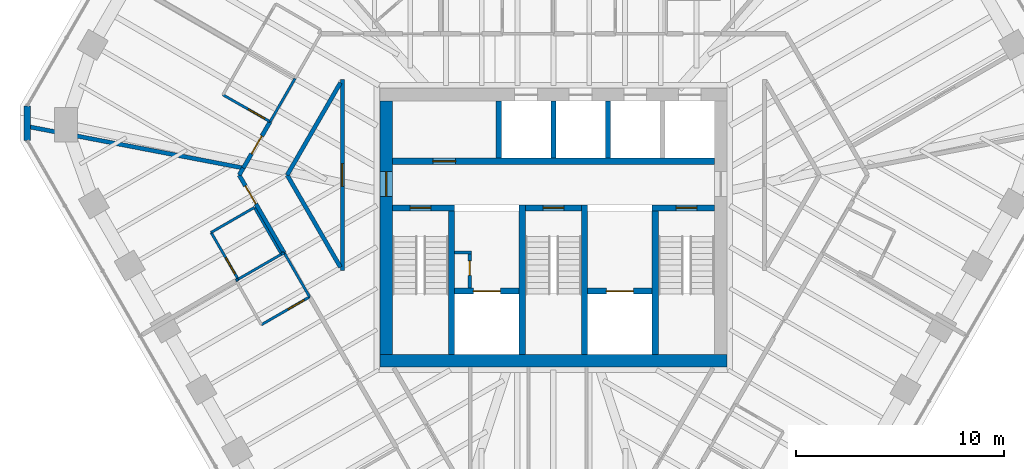
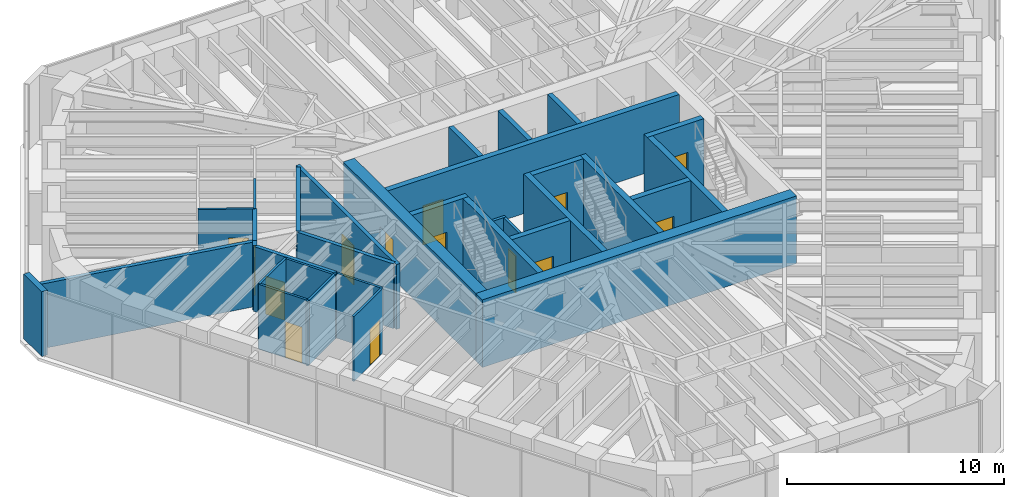
# One storey, part 10 of 14: 35 walls, 14 doors, 14 openings.
"""IFC4 building model written with IfcOpenShell, lengths in metres."""

from ifc_helpers import new_model, si_unit, direction, frame, frame_2d, origin, place, context, subcontext, project, spatial, rectangle, extrude, material, layer, layer_set, type_object, element, fill, save


model = new_model("IFC4")

# Units and contexts
model_context = context("Model", 3, precision=1e-05, world=origin(), true_north=direction((0.0, 1.0)))
body_context = subcontext(model_context, "Body", "Model", "MODEL_VIEW")
ifc_project = project(units=[si_unit("LENGTHUNIT", "METRE"), si_unit("AREAUNIT", "SQUARE_METRE"), si_unit("VOLUMEUNIT", "CUBIC_METRE"), si_unit("PLANEANGLEUNIT", "RADIAN"), si_unit("MASSUNIT", "GRAM", prefix="KILO")], contexts=[model_context])

# Site, building, storey
site_placement = place(None, origin())
site = spatial("IfcSite", under=ifc_project, at=site_placement, CompositionType="ELEMENT")
building_placement = place(site_placement, origin())
building = spatial("IfcBuilding", under=site, at=building_placement, Name="Sandreach Pilgrim Tower", CompositionType="ELEMENT")
storey_placement = place(building_placement, frame((0.0, 0.0, 291.199951171875)))
storey = spatial("IfcBuildingStorey", under=building, at=storey_placement, Name="L73", CompositionType="ELEMENT", Elevation=291.199951171875)

# Wall, opening, door
ifc_material_1 = material(Name="Moisture-resistant gypsum board on steel studs", Category="steel")
ifc_layer_1 = layer(ifc_material_1, 0.1201171875)
ifc_layer_set_1 = layer_set([ifc_layer_1], Name="Bathroom partition 120")
wall_type_1 = type_object("IfcWallType", Name="Bathroom partition 120", PredefinedType="PARTITIONING", material=ifc_layer_set_1)
wall_1_placement = place(storey_placement, frame((-16.469970703125, -0.22998046875, 0.0), z_axis=(0.0, 0.0, 1.0), x_axis=(0.500291685314, -0.865856933682, 0.0)))
wall_1 = element("IfcWall", 1, at=wall_1_placement, inside=storey, type_object=wall_type_1, Name="Bathroom partition L73-005", PredefinedType="PARTITIONING", context=body_context, shape_type="SweptSolid", body=[
    extrude(rectangle(XDim=2.5986328125, YDim=0.1201171875, at=frame_2d((1.29931640625, 0.0))), origin(), (0.0, 0.0, 1.0), 3.64013671875),
])
opening_1_placement = place(wall_1_placement, frame((1.398681640625, 0.0, 0.0)))
opening_1 = element("IfcOpeningElement", 2, at=opening_1_placement, cuts=wall_1, Name="Opening D09-15B", PredefinedType="OPENING", context=body_context, shape_type="SweptSolid", body=[
    extrude(rectangle(XDim=0.89990234375, YDim=2.030029296875, at=frame_2d((0.449951171875, 1.01513671875))), frame((0.0, 0.06005859375, 0.0), z_axis=(0.0, -1.0, 0.0), x_axis=(1.0, 0.0, 0.0)), (0.0, 0.0, 1.0), 0.1201171875),
])
ifc_material_2 = material(Name="Timber door, steel frame", Category="steel")
door_type_1 = type_object("IfcDoorType", Name="Bathroom door", OperationType="SINGLE_SWING_LEFT", PredefinedType="DOOR", material=ifc_material_2)
door_1_placement = place(opening_1_placement, origin())
door_1 = element("IfcDoor", 3, at=door_1_placement, inside=storey, type_object=door_type_1, Name="Door 7315B", OperationType="SINGLE_SWING_RIGHT", OverallHeight=2.030029296875, OverallWidth=0.89990234375, PredefinedType="DOOR", context=body_context, shape_type="SweptSolid", body=[
    extrude(rectangle(XDim=0.89990234375, YDim=2.030029296875, at=frame_2d((0.449951171875, 1.01513671875))), frame((0.0, 0.02490234375, 0.0), z_axis=(0.0, -1.0, 0.0), x_axis=(1.0, 0.0, 0.0)), (0.0, 0.0, 1.0), 0.050048828125),
])
fill(opening_1, door_1)

wall_2_placement = place(storey_placement, frame((-15.89990234375, 6.389892578125, 0.0), z_axis=(0.0, 0.0, 1.0), x_axis=(0.869431908012, -0.494052787999, 0.0)))
wall_2 = element("IfcWall", 4, at=wall_2_placement, inside=storey, type_object=wall_type_1, Name="Bathroom partition L73-006", PredefinedType="PARTITIONING", context=body_context, shape_type="SweptSolid", body=[
    extrude(rectangle(XDim=2.610595703125, YDim=0.1201171875, at=frame_2d((1.30517578125, 0.0))), origin(), (0.0, 0.0, 1.0), 3.64013671875),
])
opening_2_placement = place(wall_2_placement, frame((1.410888671875, 0.0, 0.0)))
opening_2 = element("IfcOpeningElement", 5, at=opening_2_placement, cuts=wall_2, Name="Opening D09-16B", PredefinedType="OPENING", context=body_context, shape_type="SweptSolid", body=[
    extrude(rectangle(XDim=0.89990234375, YDim=2.030029296875, at=frame_2d((0.449951171875, 1.01513671875))), frame((0.0, 0.06005859375, 0.0), z_axis=(0.0, -1.0, 0.0), x_axis=(1.0, 0.0, 0.0)), (0.0, 0.0, 1.0), 0.1201171875),
])
door_2_placement = place(opening_2_placement, origin())
door_2 = element("IfcDoor", 6, at=door_2_placement, inside=storey, type_object=door_type_1, Name="Door 7316B", OperationType="SINGLE_SWING_RIGHT", OverallHeight=2.030029296875, OverallWidth=0.89990234375, PredefinedType="DOOR", context=body_context, shape_type="SweptSolid", body=[
    extrude(rectangle(XDim=0.89990234375, YDim=2.030029296875, at=frame_2d((0.449951171875, 1.01513671875))), frame((0.0, 0.02490234375, 0.0), z_axis=(0.0, -1.0, 0.0), x_axis=(1.0, 0.0, 0.0)), (0.0, 0.0, 1.0), 0.050048828125),
])
fill(opening_2, door_2)

# Walls
wall_3_placement = place(storey_placement, frame((-15.27001953125, -2.5400390625, 0.0), z_axis=(0.0, 0.0, 1.0), x_axis=(0.864612942288, 0.502438513678, 0.0)))
element("IfcWall", 7, at=wall_3_placement, inside=storey, type_object=wall_type_1, Name="Bathroom partition L73-007", PredefinedType="PARTITIONING", context=body_context, shape_type="SweptSolid", body=[
    extrude(rectangle(XDim=0.11669921875, YDim=0.1201171875, at=frame_2d((0.058349609375, 0.0))), origin(), (0.0, 0.0, 1.0), 3.64013671875),
])
for number, where, z_axis, x_axis, name in (
    (8, (-15.1689453125, -2.48193359375, 0.0), (0.0, 0.0, 1.0), (0.865723129019, 0.500523190154, 0.0), "Bathroom partition L73-009"),
    (9, (-14.389892578125, 0.969970703125, 0.0), (0.0, 0.0, 1.0), (-0.866202511239, -0.499693115345, 0.0), "Bathroom partition L73-015"),
):
    element("IfcWall", number, at=place(storey_placement, frame(where, z_axis=z_axis, x_axis=x_axis)), inside=storey, type_object=wall_type_1, Name=name, PredefinedType="PARTITIONING", context=body_context, shape_type="SweptSolid", body=[
        extrude(rectangle(XDim=2.4013671875, YDim=0.1201171875, at=frame_2d((1.20068359375, 0.0))), origin(), (0.0, 0.0, 1.0), 3.64013671875),
    ])

# Wall, opening, door
wall_4_placement = place(storey_placement, frame((-14.050048828125, -4.669921875, 0.0), z_axis=(0.0, 0.0, 1.0), x_axis=(0.865968562295, 0.500098439427, 0.0)))
wall_4 = element("IfcWall", 10, at=wall_4_placement, inside=storey, type_object=wall_type_1, Name="Bathroom partition L73-017", PredefinedType="PARTITIONING", context=body_context, shape_type="SweptSolid", body=[
    extrude(rectangle(XDim=2.67919921875, YDim=0.1201171875, at=frame_2d((1.339599609375, 0.0))), origin(), (0.0, 0.0, 1.0), 3.64013671875),
])
opening_3_placement = place(wall_4_placement, frame((1.479248046875, 0.0, 0.0)))
opening_3 = element("IfcOpeningElement", 11, at=opening_3_placement, cuts=wall_4, Name="Opening D09-14B", PredefinedType="OPENING", context=body_context, shape_type="SweptSolid", body=[
    extrude(rectangle(XDim=0.89990234375, YDim=2.030029296875, at=frame_2d((0.449951171875, 1.01513671875))), frame((0.0, 0.06005859375, 0.0), z_axis=(0.0, -1.0, 0.0), x_axis=(1.0, 0.0, 0.0)), (0.0, 0.0, 1.0), 0.1201171875),
])
door_3_placement = place(opening_3_placement, origin())
door_3 = element("IfcDoor", 12, at=door_3_placement, inside=storey, type_object=door_type_1, Name="Door 7314B", OperationType="SINGLE_SWING_RIGHT", OverallHeight=2.030029296875, OverallWidth=0.89990234375, PredefinedType="DOOR", context=body_context, shape_type="SweptSolid", body=[
    extrude(rectangle(XDim=0.89990234375, YDim=2.030029296875, at=frame_2d((0.449951171875, 1.01513671875))), frame((0.0, 0.02490234375, 0.0), z_axis=(0.0, -1.0, 0.0), x_axis=(1.0, 0.0, 0.0)), (0.0, 0.0, 1.0), 0.050048828125),
])
fill(opening_3, door_3)

# Walls
wall_5_placement = place(storey_placement, frame((-13.6298828125, 5.10009765625, 0.0), z_axis=(0.0, 0.0, 1.0), x_axis=(0.499737123639, 0.866177122335, 0.0)))
element("IfcWall", 13, at=wall_5_placement, inside=storey, type_object=wall_type_1, Name="Bathroom partition L73-018", PredefinedType="PARTITIONING", context=body_context, shape_type="SweptSolid", body=[
    extrude(rectangle(XDim=2.401123046875, YDim=0.1201171875, at=frame_2d((1.20068359375, 0.0))), origin(), (0.0, 0.0, 1.0), 3.64013671875),
])
wall_6_placement = place(storey_placement, frame((-13.090087890625, -1.280029296875, 0.0), z_axis=(0.0, 0.0, 1.0), x_axis=(-0.500291685314, 0.865856933682, 0.0)))
element("IfcWall", 14, at=wall_6_placement, inside=storey, type_object=wall_type_1, Name="Bathroom partition L73-020", PredefinedType="PARTITIONING", context=body_context, shape_type="SweptSolid", body=[
    extrude(rectangle(XDim=2.5986328125, YDim=0.1201171875, at=frame_2d((1.29931640625, 0.0))), origin(), (0.0, 0.0, 1.0), 3.64013671875),
])
wall_7_placement = place(storey_placement, frame((-13.087890625, -1.283447265625, 0.0), z_axis=(0.0, 0.0, 1.0), x_axis=(0.867120749652, 0.498097987873, 0.0)))
element("IfcWall", 15, at=wall_7_placement, inside=storey, type_object=wall_type_1, Name="Bathroom partition L73-021", PredefinedType="PARTITIONING", context=body_context, shape_type="SweptSolid", body=[
    extrude(rectangle(XDim=0.1474609375, YDim=0.1201171875, at=frame_2d((0.07373046875, 0.0))), origin(), (0.0, 0.0, 1.0), 3.64013671875),
])
wall_8_placement = place(storey_placement, frame((-12.955322265625, -1.207275390625, 0.0), z_axis=(0.0, 0.0, 1.0), x_axis=(0.499920767294, -0.866071143976, 0.0)))
element("IfcWall", 16, at=wall_8_placement, inside=storey, type_object=wall_type_1, Name="Bathroom partition L73-022", PredefinedType="PARTITIONING", context=body_context, shape_type="SweptSolid", body=[
    extrude(rectangle(XDim=2.451171875, YDim=0.1201171875, at=frame_2d((1.2255859375, 0.0))), origin(), (0.0, 0.0, 1.0), 3.64013671875),
])
ifc_material_3 = material(Name="Concrete 10000 psi", Category="concrete")
ifc_layer_2 = layer(ifc_material_3, 0.300048828125)
ifc_layer_set_2 = layer_set([ifc_layer_2], Name="Core inner wall 300")
wall_type_2 = type_object("IfcWallType", Name="Core inner wall 300", PredefinedType="SHEAR", material=ifc_layer_set_2)
for number, where, z_axis, x_axis, name in (
    (17, (-4.89990234375, -6.10009765625, 0.0), (0.0, 0.0, 1.0), (0.0, 1.0, 0.0), "Core wall I0 L73"),
    (18, (-1.5, -6.10009765625, 0.0), (0.0, 0.0, 1.0), (0.0, 1.0, 0.0), "Core wall I1 L73"),
    (19, (1.5, -6.10009765625, 0.0), (0.0, 0.0, 1.0), (0.0, 1.0, 0.0), "Core wall I2 L73"),
    (20, (4.89990234375, -6.10009765625, 0.0), (0.0, 0.0, 1.0), (0.0, 1.0, 0.0), "Core wall I3 L73"),
):
    element("IfcWall", number, at=place(storey_placement, frame(where, z_axis=z_axis, x_axis=x_axis)), inside=storey, type_object=wall_type_2, Name=name, PredefinedType="SHEAR", context=body_context, shape_type="SweptSolid", body=[
        extrude(rectangle(XDim=7.2001953125, YDim=0.300048828125, at=frame_2d((3.60009765625, 0.0))), origin(), (0.0, 0.0, 1.0), 3.800048828125),
    ])

# Wall, opening, door
wall_9_placement = place(storey_placement, frame((-7.75, 0.949951171875, 0.0), z_axis=(0.0, 0.0, 1.0), x_axis=(1.0, 0.0, 0.0)))
wall_9 = element("IfcWall", 21, at=wall_9_placement, inside=storey, type_object=wall_type_2, Name="Core wall SN1 L73", PredefinedType="SHEAR", context=body_context, shape_type="SweptSolid", body=[
    extrude(rectangle(XDim=3.0, YDim=0.300048828125, at=frame_2d((1.5, 0.0))), origin(), (0.0, 0.0, 1.0), 3.800048828125),
])
opening_4_placement = place(wall_9_placement, frame((0.85009765625, 0.0, 0.0)))
opening_4 = element("IfcOpeningElement", 22, at=opening_4_placement, cuts=wall_9, Name="Opening D10S-ST1", PredefinedType="OPENING", context=body_context, shape_type="SweptSolid", body=[
    extrude(rectangle(XDim=1.0, YDim=2.199951171875, at=frame_2d((0.5, 1.10009765625))), frame((0.0, 0.14990234375, 0.0), z_axis=(0.0, -1.0, 0.0), x_axis=(1.0, 0.0, 0.0)), (0.0, 0.0, 1.0), 0.300048828125),
])
ifc_material_4 = material(Name="Steel door and frame", Category="steel")
door_type_2 = type_object("IfcDoorType", Name="Stair door", OperationType="SINGLE_SWING_LEFT", PredefinedType="DOOR", material=ifc_material_4)
door_4_placement = place(opening_4_placement, origin())
door_4 = element("IfcDoor", 23, at=door_4_placement, inside=storey, type_object=door_type_2, Name="Stair door ST1 L73", OperationType="SINGLE_SWING_LEFT", OverallHeight=2.199951171875, OverallWidth=1.0, PredefinedType="DOOR", context=body_context, shape_type="SweptSolid", body=[
    extrude(rectangle(XDim=1.0, YDim=2.199951171875, at=frame_2d((0.5, 1.10009765625))), frame((0.0, 0.02490234375, 0.0), z_axis=(0.0, -1.0, 0.0), x_axis=(1.0, 0.0, 0.0)), (0.0, 0.0, 1.0), 0.050048828125),
])
fill(opening_4, door_4)

wall_10_placement = place(storey_placement, frame((-1.35009765625, 0.949951171875, 0.0), z_axis=(0.0, 0.0, 1.0), x_axis=(1.0, 0.0, 0.0)))
wall_10 = element("IfcWall", 24, at=wall_10_placement, inside=storey, type_object=wall_type_2, Name="Core wall SN3 L73", PredefinedType="SHEAR", context=body_context, shape_type="SweptSolid", body=[
    extrude(rectangle(XDim=2.7001953125, YDim=0.300048828125, at=frame_2d((1.35009765625, 0.0))), origin(), (0.0, 0.0, 1.0), 3.800048828125),
])
opening_5_placement = place(wall_10_placement, frame((0.85009765625, 0.0, 0.0)))
opening_5 = element("IfcOpeningElement", 25, at=opening_5_placement, cuts=wall_10, Name="Opening D10S-ST3", PredefinedType="OPENING", context=body_context, shape_type="SweptSolid", body=[
    extrude(rectangle(XDim=1.0, YDim=2.199951171875, at=frame_2d((0.5, 1.10009765625))), frame((0.0, 0.14990234375, 0.0), z_axis=(0.0, -1.0, 0.0), x_axis=(1.0, 0.0, 0.0)), (0.0, 0.0, 1.0), 0.300048828125),
])
door_5_placement = place(opening_5_placement, origin())
door_5 = element("IfcDoor", 26, at=door_5_placement, inside=storey, type_object=door_type_2, Name="Stair door ST3 L73", OperationType="SINGLE_SWING_LEFT", OverallHeight=2.199951171875, OverallWidth=1.0, PredefinedType="DOOR", context=body_context, shape_type="SweptSolid", body=[
    extrude(rectangle(XDim=1.0, YDim=2.199951171875, at=frame_2d((0.5, 1.10009765625))), frame((0.0, 0.02490234375, 0.0), z_axis=(0.0, -1.0, 0.0), x_axis=(1.0, 0.0, 0.0)), (0.0, 0.0, 1.0), 0.050048828125),
])
fill(opening_5, door_5)

wall_11_placement = place(storey_placement, frame((4.75, 0.949951171875, 0.0), z_axis=(0.0, 0.0, 1.0), x_axis=(1.0, 0.0, 0.0)))
wall_11 = element("IfcWall", 27, at=wall_11_placement, inside=storey, type_object=wall_type_2, Name="Core wall SN2 L73", PredefinedType="SHEAR", context=body_context, shape_type="SweptSolid", body=[
    extrude(rectangle(XDim=3.0, YDim=0.300048828125, at=frame_2d((1.5, 0.0))), origin(), (0.0, 0.0, 1.0), 3.800048828125),
])
opening_6_placement = place(wall_11_placement, frame((1.14990234375, 0.0, 0.0)))
opening_6 = element("IfcOpeningElement", 28, at=opening_6_placement, cuts=wall_11, Name="Opening D10S-ST2", PredefinedType="OPENING", context=body_context, shape_type="SweptSolid", body=[
    extrude(rectangle(XDim=1.0, YDim=2.199951171875, at=frame_2d((0.5, 1.10009765625))), frame((0.0, 0.14990234375, 0.0), z_axis=(0.0, -1.0, 0.0), x_axis=(1.0, 0.0, 0.0)), (0.0, 0.0, 1.0), 0.300048828125),
])
door_6_placement = place(opening_6_placement, origin())
door_6 = element("IfcDoor", 29, at=door_6_placement, inside=storey, type_object=door_type_2, Name="Stair door ST2 L73", OperationType="SINGLE_SWING_RIGHT", OverallHeight=2.199951171875, OverallWidth=1.0, PredefinedType="DOOR", context=body_context, shape_type="SweptSolid", body=[
    extrude(rectangle(XDim=1.0, YDim=2.199951171875, at=frame_2d((0.5, 1.10009765625))), frame((0.0, 0.02490234375, 0.0), z_axis=(0.0, -1.0, 0.0), x_axis=(1.0, 0.0, 0.0)), (0.0, 0.0, 1.0), 0.050048828125),
])
fill(opening_6, door_6)

wall_12_placement = place(storey_placement, frame((-4.75, -3.050048828125, 0.0), z_axis=(0.0, 0.0, 1.0), x_axis=(1.0, 0.0, 0.0)))
wall_12 = element("IfcWall", 30, at=wall_12_placement, inside=storey, type_object=wall_type_2, Name="Core wall FL1 L73", PredefinedType="SHEAR", context=body_context, shape_type="SweptSolid", body=[
    extrude(rectangle(XDim=3.10009765625, YDim=0.300048828125, at=frame_2d((1.550048828125, 0.0))), origin(), (0.0, 0.0, 1.0), 3.800048828125),
])
opening_7_placement = place(wall_12_placement, frame((0.89990234375, 0.0, 0.0)))
opening_7 = element("IfcOpeningElement", 31, at=opening_7_placement, cuts=wall_12, Name="Opening LD13", PredefinedType="OPENING", context=body_context, shape_type="SweptSolid", body=[
    extrude(rectangle(XDim=1.300048828125, YDim=2.10009765625, at=frame_2d((0.64990234375, 1.050048828125))), frame((0.0, 0.14990234375, 0.0), z_axis=(0.0, -1.0, 0.0), x_axis=(1.0, 0.0, 0.0)), (0.0, 0.0, 1.0), 0.300048828125),
])
ifc_material_5 = material(Name="Steel door and frame", Category="steel")
door_type_3 = type_object("IfcDoorType", Name="Fire service lift landing door", OperationType="DOUBLE_DOOR_SLIDING", PredefinedType="DOOR", material=ifc_material_5)
door_7_placement = place(opening_7_placement, origin())
door_7 = element("IfcDoor", 32, at=door_7_placement, inside=storey, type_object=door_type_3, Name="Lift landing door FS1 L73", OperationType="DOUBLE_DOOR_SLIDING", OverallHeight=2.10009765625, OverallWidth=1.300048828125, PredefinedType="DOOR", context=body_context, shape_type="SweptSolid", body=[
    extrude(rectangle(XDim=1.300048828125, YDim=2.10009765625, at=frame_2d((0.64990234375, 1.050048828125))), frame((0.0, 0.02490234375, 0.0), z_axis=(0.0, -1.0, 0.0), x_axis=(1.0, 0.0, 0.0)), (0.0, 0.0, 1.0), 0.050048828125),
])
fill(opening_7, door_7)

wall_13_placement = place(storey_placement, frame((1.64990234375, -3.050048828125, 0.0), z_axis=(0.0, 0.0, 1.0), x_axis=(1.0, 0.0, 0.0)))
wall_13 = element("IfcWall", 33, at=wall_13_placement, inside=storey, type_object=wall_type_2, Name="Core wall FL2 L73", PredefinedType="SHEAR", context=body_context, shape_type="SweptSolid", body=[
    extrude(rectangle(XDim=3.10009765625, YDim=0.300048828125, at=frame_2d((1.550048828125, 0.0))), origin(), (0.0, 0.0, 1.0), 3.800048828125),
])
opening_8_placement = place(wall_13_placement, frame((0.89990234375, 0.0, 0.0)))
opening_8 = element("IfcOpeningElement", 34, at=opening_8_placement, cuts=wall_13, Name="Opening LD13", PredefinedType="OPENING", context=body_context, shape_type="SweptSolid", body=[
    extrude(rectangle(XDim=1.300048828125, YDim=2.10009765625, at=frame_2d((0.64990234375, 1.050048828125))), frame((0.0, 0.14990234375, 0.0), z_axis=(0.0, -1.0, 0.0), x_axis=(1.0, 0.0, 0.0)), (0.0, 0.0, 1.0), 0.300048828125),
])
door_8_placement = place(opening_8_placement, origin())
door_8 = element("IfcDoor", 35, at=door_8_placement, inside=storey, type_object=door_type_3, Name="Lift landing door FS2 L73", OperationType="DOUBLE_DOOR_SLIDING", OverallHeight=2.10009765625, OverallWidth=1.300048828125, PredefinedType="DOOR", context=body_context, shape_type="SweptSolid", body=[
    extrude(rectangle(XDim=1.300048828125, YDim=2.10009765625, at=frame_2d((0.64990234375, 1.050048828125))), frame((0.0, 0.02490234375, 0.0), z_axis=(0.0, -1.0, 0.0), x_axis=(1.0, 0.0, 0.0)), (0.0, 0.0, 1.0), 0.050048828125),
])
fill(opening_8, door_8)

wall_14_placement = place(storey_placement, frame((-7.75, 3.199951171875, 0.0), z_axis=(0.0, 0.0, 1.0), x_axis=(1.0, 0.0, 0.0)))
wall_14 = element("IfcWall", 36, at=wall_14_placement, inside=storey, type_object=wall_type_2, Name="Core wall PN L73", PredefinedType="SHEAR", context=body_context, shape_type="SweptSolid", body=[
    extrude(rectangle(XDim=15.5, YDim=0.300048828125, at=frame_2d((7.75, 0.0))), origin(), (0.0, 0.0, 1.0), 3.800048828125),
])
opening_9_placement = place(wall_14_placement, frame((1.949951171875, 0.0, 0.0)))
opening_9 = element("IfcOpeningElement", 37, at=opening_9_placement, cuts=wall_14, Name="Opening D11L", PredefinedType="OPENING", context=body_context, shape_type="SweptSolid", body=[
    extrude(rectangle(XDim=1.10009765625, YDim=2.199951171875, at=frame_2d((0.550048828125, 1.10009765625))), frame((0.0, 0.14990234375, 0.0), z_axis=(0.0, -1.0, 0.0), x_axis=(1.0, 0.0, 0.0)), (0.0, 0.0, 1.0), 0.300048828125),
])
ifc_material_6 = material(Name="Steel door and frame, smoke seals", Category="steel")
door_type_4 = type_object("IfcDoorType", Name="Core room door", OperationType="SINGLE_SWING_LEFT", PredefinedType="DOOR", material=ifc_material_6)
door_9_placement = place(opening_9_placement, origin())
door_9 = element("IfcDoor", 38, at=door_9_placement, inside=storey, type_object=door_type_4, Name="Door butler pantry 73K1", OperationType="SINGLE_SWING_LEFT", OverallHeight=2.199951171875, OverallWidth=1.10009765625, PredefinedType="DOOR", context=body_context, shape_type="SweptSolid", body=[
    extrude(rectangle(XDim=1.10009765625, YDim=2.199951171875, at=frame_2d((0.550048828125, 1.10009765625))), frame((0.0, 0.02490234375, 0.0), z_axis=(0.0, -1.0, 0.0), x_axis=(1.0, 0.0, 0.0)), (0.0, 0.0, 1.0), 0.050048828125),
])
fill(opening_9, door_9)

# Wall
ifc_material_7 = material(Name="Concrete 10000 psi", Category="concrete")
ifc_layer_3 = layer(ifc_material_7, 0.60009765625)
ifc_layer_set_3 = layer_set([ifc_layer_3], Name="Core wall 600")
wall_type_3 = type_object("IfcWallType", Name="Core wall 600", PredefinedType="SHEAR", material=ifc_layer_set_3)
wall_15_placement = place(storey_placement, frame((-8.35009765625, -6.39990234375, 0.0), z_axis=(0.0, 0.0, 1.0), x_axis=(1.0, 0.0, 0.0)))
element("IfcWall", 39, at=wall_15_placement, inside=storey, type_object=wall_type_3, Name="Core wall S L73", PredefinedType="SHEAR", context=body_context, shape_type="SweptSolid", body=[
    extrude(rectangle(XDim=16.7001953125, YDim=0.60009765625, at=frame_2d((8.35009765625, 0.0))), origin(), (0.0, 0.0, 1.0), 3.800048828125),
])

# Wall, opening, door
wall_16_placement = place(storey_placement, frame((-8.050048828125, -6.10009765625, 0.0), z_axis=(0.0, 0.0, 1.0), x_axis=(0.0, 1.0, 0.0)))
wall_16 = element("IfcWall", 40, at=wall_16_placement, inside=storey, type_object=wall_type_3, Name="Core wall W L73", PredefinedType="SHEAR", context=body_context, shape_type="SweptSolid", body=[
    extrude(rectangle(XDim=12.2001953125, YDim=0.60009765625, at=frame_2d((6.10009765625, 0.0))), origin(), (0.0, 0.0, 1.0), 3.800048828125),
])
opening_10_placement = place(wall_16_placement, frame((7.60009765625, 0.0, 0.0)))
opening_10 = element("IfcOpeningElement", 41, at=opening_10_placement, cuts=wall_16, Name="Opening D12F-W", PredefinedType="OPENING", context=body_context, shape_type="SweptSolid", body=[
    extrude(rectangle(XDim=1.199951171875, YDim=2.199951171875, at=frame_2d((0.60009765625, 1.10009765625))), frame((0.0, 0.300048828125, 0.0), z_axis=(0.0, -1.0, 0.0), x_axis=(1.0, 0.0, 0.0)), (0.0, 0.0, 1.0), 0.60009765625),
])
ifc_material_8 = material(Name="Steel door and frame", Category="steel")
door_type_5 = type_object("IfcDoorType", Name="Fire lobby door", OperationType="SINGLE_SWING_LEFT", PredefinedType="DOOR", material=ifc_material_8)
door_10_placement = place(opening_10_placement, origin())
door_10 = element("IfcDoor", 42, at=door_10_placement, inside=storey, type_object=door_type_5, Name="Fire service lobby door W L73", OperationType="SINGLE_SWING_RIGHT", OverallHeight=2.199951171875, OverallWidth=1.199951171875, PredefinedType="DOOR", context=body_context, shape_type="SweptSolid", body=[
    extrude(rectangle(XDim=1.199951171875, YDim=2.199951171875, at=frame_2d((0.60009765625, 1.10009765625))), frame((0.0, 0.02490234375, 0.0), z_axis=(0.0, -1.0, 0.0), x_axis=(1.0, 0.0, 0.0)), (0.0, 0.0, 1.0), 0.050048828125),
])
fill(opening_10, door_10)

# Wall
ifc_material_9 = material(Name="Gypsum board on steel studs, two layers each side", Category="steel")
ifc_layer_4 = layer(ifc_material_9, 0.199951171875)
ifc_layer_set_4 = layer_set([ifc_layer_4], Name="Corridor wall 200")
wall_type_4 = type_object("IfcWallType", Name="Corridor wall 200", PredefinedType="PARTITIONING", material=ifc_layer_set_4)
wall_17_placement = place(storey_placement, frame((-15.1201171875, 2.530029296875, 0.0), z_axis=(0.0, 0.0, 1.0), x_axis=(0.507290461451, 0.861775137562, 0.0)))
element("IfcWall", 43, at=wall_17_placement, inside=storey, type_object=wall_type_4, Name="Corridor wall L73-010", PredefinedType="PARTITIONING", context=body_context, shape_type="SweptSolid", body=[
    extrude(rectangle(XDim=0.39453125, YDim=0.199951171875, at=frame_2d((0.197265625, 0.0))), origin(), (0.0, 0.0, 1.0), 3.64013671875),
])

# Wall, opening, door
wall_18_placement = place(storey_placement, frame((-15.1201171875, 2.530029296875, 0.0), z_axis=(0.0, 0.0, 1.0), x_axis=(0.500151395541, -0.865937977882, 0.0)))
wall_18 = element("IfcWall", 44, at=wall_18_placement, inside=storey, type_object=wall_type_4, Name="Corridor wall L73-011", PredefinedType="PARTITIONING", context=body_context, shape_type="SweptSolid", body=[
    extrude(rectangle(XDim=4.319091796875, YDim=0.199951171875, at=frame_2d((2.15966796875, 0.0))), origin(), (0.0, 0.0, 1.0), 3.64013671875),
])
opening_11_placement = place(wall_18_placement, frame((0.60009765625, 0.0, 0.0)))
opening_11 = element("IfcOpeningElement", 45, at=opening_11_placement, cuts=wall_18, Name="Opening D10-15", PredefinedType="OPENING", context=body_context, shape_type="SweptSolid", body=[
    extrude(rectangle(XDim=1.0, YDim=2.1298828125, at=frame_2d((0.5, 1.06494140625))), frame((0.0, 0.10009765625, 0.0), z_axis=(0.0, -1.0, 0.0), x_axis=(1.0, 0.0, 0.0)), (0.0, 0.0, 1.0), 0.199951171875),
])
ifc_material_10 = material(Name="Steel door and frame", Category="steel")
door_type_6 = type_object("IfcDoorType", Name="Guest room entry door", OperationType="SINGLE_SWING_LEFT", PredefinedType="DOOR", material=ifc_material_10)
door_11_placement = place(opening_11_placement, origin())
door_11 = element("IfcDoor", 46, at=door_11_placement, inside=storey, type_object=door_type_6, Name="Door 7315", OperationType="SINGLE_SWING_LEFT", OverallHeight=2.1298828125, OverallWidth=1.0, PredefinedType="DOOR", context=body_context, shape_type="SweptSolid", body=[
    extrude(rectangle(XDim=1.0, YDim=2.1298828125, at=frame_2d((0.5, 1.06494140625))), frame((0.0, 0.02490234375, 0.0), z_axis=(0.0, -1.0, 0.0), x_axis=(1.0, 0.0, 0.0)), (0.0, 0.0, 1.0), 0.050048828125),
])
fill(opening_11, door_11)

wall_19_placement = place(storey_placement, frame((-14.919921875, 2.8701171875, 0.0), z_axis=(0.0, 0.0, 1.0), x_axis=(0.500714932888, 0.865612243434, 0.0)))
wall_19 = element("IfcWall", 47, at=wall_19_placement, inside=storey, type_object=wall_type_4, Name="Corridor wall L73-012", PredefinedType="PARTITIONING", context=body_context, shape_type="SweptSolid", body=[
    extrude(rectangle(XDim=2.575927734375, YDim=0.199951171875, at=frame_2d((1.2880859375, 0.0))), origin(), (0.0, 0.0, 1.0), 3.64013671875),
])
opening_12_placement = place(wall_19_placement, frame((0.7880859375, 0.0, 0.0)))
opening_12 = element("IfcOpeningElement", 48, at=opening_12_placement, cuts=wall_19, Name="Opening D10-16", PredefinedType="OPENING", context=body_context, shape_type="SweptSolid", body=[
    extrude(rectangle(XDim=1.0, YDim=2.1298828125, at=frame_2d((0.5, 1.06494140625))), frame((0.0, 0.10009765625, 0.0), z_axis=(0.0, -1.0, 0.0), x_axis=(1.0, 0.0, 0.0)), (0.0, 0.0, 1.0), 0.199951171875),
])
door_12_placement = place(opening_12_placement, origin())
door_12 = element("IfcDoor", 49, at=door_12_placement, inside=storey, type_object=door_type_6, Name="Door 7316", OperationType="SINGLE_SWING_LEFT", OverallHeight=2.1298828125, OverallWidth=1.0, PredefinedType="DOOR", context=body_context, shape_type="SweptSolid", body=[
    extrude(rectangle(XDim=1.0, YDim=2.1298828125, at=frame_2d((0.5, 1.06494140625))), frame((0.0, 0.02490234375, 0.0), z_axis=(0.0, -1.0, 0.0), x_axis=(1.0, 0.0, 0.0)), (0.0, 0.0, 1.0), 0.050048828125),
])
fill(opening_12, door_12)

# Walls
wall_20_placement = place(storey_placement, frame((-12.81005859375, 2.530029296875, 0.0), z_axis=(0.0, 0.0, 1.0), x_axis=(0.499765047266, 0.86616101132, 0.0)))
element("IfcWall", 50, at=wall_20_placement, inside=storey, type_object=wall_type_4, Name="Corridor wall L73-023", PredefinedType="PARTITIONING", context=body_context, shape_type="SweptSolid", body=[
    extrude(rectangle(XDim=5.12744140625, YDim=0.199951171875, at=frame_2d((2.563720703125, 0.0))), origin(), (0.0, 0.0, 1.0), 3.64013671875),
])
wall_21_placement = place(storey_placement, frame((-10.24755859375, -1.901123046875, 0.0), z_axis=(0.0, 0.0, 1.0), x_axis=(-0.500611305161, 0.865672178798, 0.0)))
element("IfcWall", 51, at=wall_21_placement, inside=storey, type_object=wall_type_4, Name="Corridor wall L73-028", PredefinedType="PARTITIONING", context=body_context, shape_type="SweptSolid", body=[
    extrude(rectangle(XDim=5.11865234375, YDim=0.199951171875, at=frame_2d((2.559326171875, 0.0))), origin(), (0.0, 0.0, 1.0), 3.64013671875),
])

# Wall, opening, door
wall_22_placement = place(storey_placement, frame((-10.14990234375, 7.139892578125, 0.0), z_axis=(0.0, 0.0, 1.0), x_axis=(0.0, -1.0, 0.0)))
wall_22 = element("IfcWall", 52, at=wall_22_placement, inside=storey, type_object=wall_type_4, Name="Corridor wall L73-029", PredefinedType="PARTITIONING", context=body_context, shape_type="SweptSolid", body=[
    extrude(rectangle(XDim=9.2099609375, YDim=0.199951171875, at=frame_2d((4.60498046875, 0.0))), origin(), (0.0, 0.0, 1.0), 3.64013671875),
])
opening_13_placement = place(wall_22_placement, frame((4.054931640625, 0.0, 0.0)))
opening_13 = element("IfcOpeningElement", 53, at=opening_13_placement, cuts=wall_22, Name="Opening D11H-M1", PredefinedType="OPENING", context=body_context, shape_type="SweptSolid", body=[
    extrude(rectangle(XDim=1.10009765625, YDim=2.199951171875, at=frame_2d((0.550048828125, 1.10009765625))), frame((0.0, 0.10009765625, 0.0), z_axis=(0.0, -1.0, 0.0), x_axis=(1.0, 0.0, 0.0)), (0.0, 0.0, 1.0), 0.199951171875),
])
ifc_material_11 = material(Name="Steel door and frame", Category="steel")
door_type_7 = type_object("IfcDoorType", Name="Back of house door", OperationType="SINGLE_SWING_LEFT", PredefinedType="DOOR", material=ifc_material_11)
door_13_placement = place(opening_13_placement, origin())
door_13 = element("IfcDoor", 54, at=door_13_placement, inside=storey, type_object=door_type_7, Name="Door 73M1", OperationType="SINGLE_SWING_LEFT", OverallHeight=2.199951171875, OverallWidth=1.10009765625, PredefinedType="DOOR", context=body_context, shape_type="SweptSolid", body=[
    extrude(rectangle(XDim=1.10009765625, YDim=2.199951171875, at=frame_2d((0.550048828125, 1.10009765625))), frame((0.0, 0.02490234375, 0.0), z_axis=(0.0, -1.0, 0.0), x_axis=(1.0, 0.0, 0.0)), (0.0, 0.0, 1.0), 0.050048828125),
])
fill(opening_13, door_13)

# Wall
ifc_material_12 = material(Name="Double steel stud acoustic wall, gypsum board", Category="steel")
ifc_layer_5 = layer(ifc_material_12, 0.199951171875)
ifc_layer_set_5 = layer_set([ifc_layer_5], Name="Party wall 200")
wall_type_5 = type_object("IfcWallType", Name="Party wall 200", PredefinedType="PARTITIONING", material=ifc_layer_set_5)
wall_23_placement = place(storey_placement, frame((-25.340576171875, 4.874267578125, 0.0), z_axis=(0.0, 0.0, 1.0), x_axis=(0.982001168061, -0.188874841966, 0.0)))
element("IfcWall", 55, at=wall_23_placement, inside=storey, type_object=wall_type_5, Name="Party wall L73-001", PredefinedType="PARTITIONING", context=body_context, shape_type="SweptSolid", body=[
    extrude(rectangle(XDim=10.556640625, YDim=0.199951171875, at=frame_2d((5.2783203125, 0.0))), origin(), (0.0, 0.0, 1.0), 3.64013671875),
])

# Wall, opening, door
ifc_material_13 = material(Name="Gypsum shaft wall on steel studs, shaft liner board", Category="steel")
ifc_layer_6 = layer(ifc_material_13, 0.14990234375)
ifc_layer_set_6 = layer_set([ifc_layer_6], Name="Riser shaft wall 150")
wall_type_6 = type_object("IfcWallType", Name="Riser shaft wall 150", PredefinedType="PARTITIONING", material=ifc_layer_set_6)
wall_24_placement = place(storey_placement, frame((-4.02490234375, -2.89990234375, 0.0), z_axis=(0.0, 0.0, 1.0), x_axis=(0.0, 1.0, 0.0)))
wall_24 = element("IfcWall", 56, at=wall_24_placement, inside=storey, type_object=wall_type_6, Name="Riser partition L73 side", PredefinedType="PARTITIONING", context=body_context, shape_type="SweptSolid", body=[
    extrude(rectangle(XDim=1.77490234375, YDim=0.14990234375, at=frame_2d((0.887451171875, 0.0))), origin(), (0.0, 0.0, 1.0), 3.64013671875),
])
opening_14_placement = place(wall_24_placement, frame((0.60009765625, 0.0, 0.0)))
opening_14 = element("IfcOpeningElement", 57, at=opening_14_placement, cuts=wall_24, Name="Opening D07R", PredefinedType="OPENING", context=body_context, shape_type="SweptSolid", body=[
    extrude(rectangle(XDim=0.699951171875, YDim=2.10009765625, at=frame_2d((0.35009765625, 1.050048828125))), frame((0.0, 0.074951171875, 0.0), z_axis=(0.0, -1.0, 0.0), x_axis=(1.0, 0.0, 0.0)), (0.0, 0.0, 1.0), 0.14990234375),
])
ifc_material_14 = material(Name="Steel door and frame, smoke seals", Category="steel")
door_type_8 = type_object("IfcDoorType", Name="Riser access door", OperationType="SINGLE_SWING_RIGHT", PredefinedType="DOOR", material=ifc_material_14)
door_14_placement = place(opening_14_placement, origin())
door_14 = element("IfcDoor", 58, at=door_14_placement, inside=storey, type_object=door_type_8, Name="Door riser 73ER", OperationType="SINGLE_SWING_RIGHT", OverallHeight=2.10009765625, OverallWidth=0.699951171875, PredefinedType="DOOR", context=body_context, shape_type="SweptSolid", body=[
    extrude(rectangle(XDim=0.699951171875, YDim=2.10009765625, at=frame_2d((0.35009765625, 1.050048828125))), frame((0.0, 0.02490234375, 0.0), z_axis=(0.0, -1.0, 0.0), x_axis=(1.0, 0.0, 0.0)), (0.0, 0.0, 1.0), 0.050048828125),
])
fill(opening_14, door_14)

# Walls
wall_25_placement = place(storey_placement, frame((-4.75, -1.199951171875, 0.0), z_axis=(0.0, 0.0, 1.0), x_axis=(1.0, 0.0, 0.0)))
element("IfcWall", 59, at=wall_25_placement, inside=storey, type_object=wall_type_6, Name="Riser partition L73 front", PredefinedType="PARTITIONING", context=body_context, shape_type="SweptSolid", body=[
    extrude(rectangle(XDim=0.800048828125, YDim=0.14990234375, at=frame_2d((0.39990234375, 0.0))), origin(), (0.0, 0.0, 1.0), 3.64013671875),
])
ifc_material_15 = material(Name="Gypsum shaft wall on steel studs, two layers of shaft liner board", Category="steel")
ifc_layer_7 = layer(ifc_material_15, 0.25)
ifc_layer_set_7 = layer_set([ifc_layer_7], Name="Shaft partition 250")
wall_type_7 = type_object("IfcWallType", Name="Shaft partition 250", PredefinedType="PARTITIONING", material=ifc_layer_set_7)
for number, where, z_axis, x_axis, name in (
    (60, (-2.625, 3.35009765625, 0.0), (0.0, 0.0, 1.0), (0.0, 1.0, 0.0), "Shaft partition NS1 L73"),
    (61, (0.0, 3.35009765625, 0.0), (0.0, 0.0, 1.0), (0.0, 1.0, 0.0), "Shaft partition NS2 L73"),
    (62, (2.625, 3.35009765625, 0.0), (0.0, 0.0, 1.0), (0.0, 1.0, 0.0), "Shaft partition NS3 L73"),
):
    element("IfcWall", number, at=place(storey_placement, frame(where, z_axis=z_axis, x_axis=x_axis)), inside=storey, type_object=wall_type_7, Name=name, PredefinedType="PARTITIONING", context=body_context, shape_type="SweptSolid", body=[
        extrude(rectangle(XDim=2.75, YDim=0.25, at=frame_2d((1.375, 0.0))), origin(), (0.0, 0.0, 1.0), 3.800048828125),
    ])
ifc_material_16 = material(Name="Terracotta rainscreen on concrete", Category="masonry")
ifc_layer_8 = layer(ifc_material_16, 0.300048828125)
ifc_layer_set_8 = layer_set([ifc_layer_8], Name="Terracotta chamfer pier")
wall_type_8 = type_object("IfcWallType", Name="Terracotta chamfer pier", PredefinedType="SOLIDWALL", material=ifc_layer_set_8)
wall_26_placement = place(storey_placement, frame((-25.3193359375, 4.20166015625, 0.0), z_axis=(0.0, 0.0, 1.0), x_axis=(0.0, 1.0, 0.0)))
element("IfcWall", 63, at=wall_26_placement, inside=storey, type_object=wall_type_8, Name="Chamfer pier L73 SW", PredefinedType="SOLIDWALL", context=body_context, shape_type="SweptSolid", body=[
    extrude(rectangle(XDim=1.659912109375, YDim=0.300048828125, at=frame_2d((0.830078125, 0.0))), origin(), (0.0, 0.0, 1.0), 3.64013671875),
])

save(model, "model.ifc")
